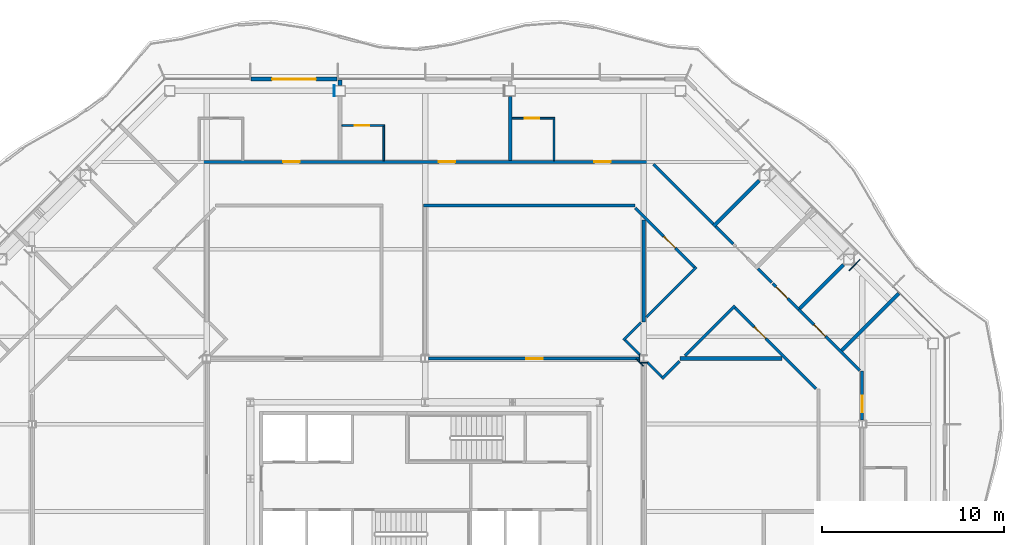
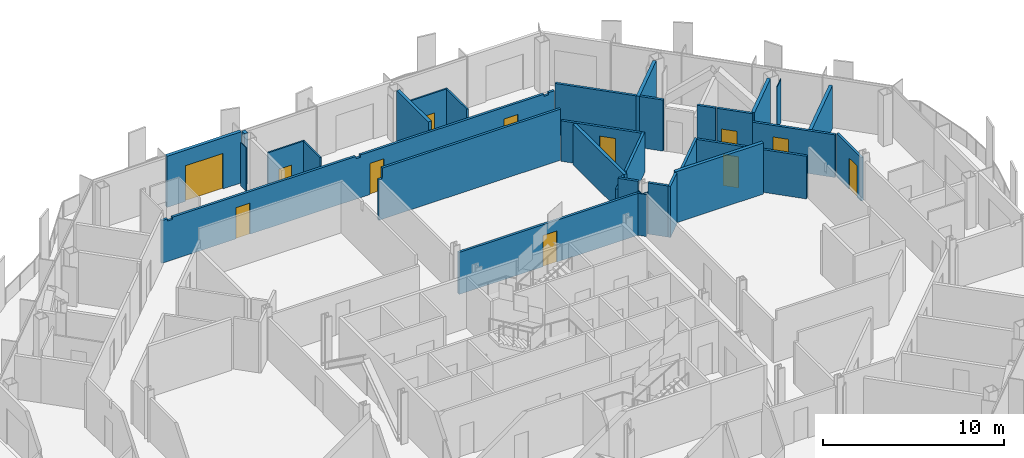
# One storey, part 13 of 21: 34 walls, 12 doors, 12 openings.
"""IFC4 building model written with IfcOpenShell, lengths in metres."""

from ifc_helpers import new_model, si_unit, direction, frame, frame_2d, origin, place, context, subcontext, project, spatial, polyline, rectangle, outline, extrude, material, layer, layer_set, type_object, element, fill, save


model = new_model("IFC4")

# Units and contexts
model_context = context("Model", 3, precision=1e-05, world=origin(), true_north=direction((0.0, 1.0)))
body_context = subcontext(model_context, "Body", "Model", "MODEL_VIEW")
ifc_project = project(units=[si_unit("LENGTHUNIT", "METRE"), si_unit("AREAUNIT", "SQUARE_METRE"), si_unit("VOLUMEUNIT", "CUBIC_METRE"), si_unit("PLANEANGLEUNIT", "RADIAN"), si_unit("MASSUNIT", "GRAM", prefix="KILO")], contexts=[model_context])

# Site, building, storey
site_placement = place(None, origin())
site = spatial("IfcSite", under=ifc_project, at=site_placement, CompositionType="ELEMENT")
building_placement = place(site_placement, origin())
building = spatial("IfcBuilding", under=site, at=building_placement, Name="Cairn Pilgrim Tower", CompositionType="ELEMENT")
storey_placement = place(building_placement, frame((0.0, 0.0, 168.60009765625)))
storey = spatial("IfcBuildingStorey", under=building, at=storey_placement, Name="L42", CompositionType="ELEMENT", Elevation=168.60009765625)

# Wall, opening, door
ifc_material_1 = material(Name="Bronze anodised aluminium insulated sandwich panel with mineral wool fill", Category="aluminium")
ifc_layer_1 = layer(ifc_material_1, 0.199951171875)
ifc_layer_set_1 = layer_set([ifc_layer_1], Name="BRONZE INFILL FRAME WALL 200")
wall_type_1 = type_object("IfcWallType", Name="BRONZE INFILL FRAME WALL 200", PredefinedType="NOTDEFINED", material=ifc_layer_set_1)
wall_1_placement = place(storey_placement, frame((2.3701171875, 28.550048828125, 0.0), z_axis=(0.0, 0.0, 1.0), x_axis=(-1.0, 0.0, 0.0)))
wall_1 = element("IfcWall", 1, at=wall_1_placement, inside=storey, type_object=wall_type_1, Name="Bronze infill frame wall IW-N5", PredefinedType="NOTDEFINED", context=body_context, shape_type="SweptSolid", body=[
    extrude(rectangle(XDim=4.740234375, YDim=0.199951171875, at=frame_2d((2.3701171875, 0.0))), origin(), (0.0, 0.0, 1.0), 3.449951171875),
])
opening_1_placement = place(wall_1_placement, frame((1.169677734375, 0.0, 0.0)))
opening_1 = element("IfcOpeningElement", 2, at=opening_1_placement, cuts=wall_1, Name="Opening 4214B", PredefinedType="OPENING", context=body_context, shape_type="SweptSolid", body=[
    extrude(rectangle(XDim=2.39990234375, YDim=2.39990234375, at=frame_2d((1.199951171875, 1.199951171875))), frame((0.0, 0.10986328125, 0.0), z_axis=(0.0, -1.0, 0.0), x_axis=(1.0, 0.0, 0.0)), (0.0, 0.0, 1.0), 0.219970703125),
])
ifc_material_2 = material(Name="Bronze anodised aluminium frame with tinted low-E glass", Category="aluminium")
door_type_1 = type_object("IfcDoorType", Name="BALCONY SLIDING DOOR 2400x2400", OperationType="DOUBLE_DOOR_SLIDING", PredefinedType="DOOR", material=ifc_material_2)
door_1_placement = place(opening_1_placement, origin())
door_1 = element("IfcDoor", 3, at=door_1_placement, inside=storey, type_object=door_type_1, Name="Balcony sliding door 4214B", OperationType="SINGLE_SWING_LEFT", OverallHeight=2.39990234375, OverallWidth=2.39990234375, PredefinedType="DOOR", context=body_context, shape_type="SweptSolid", body=[
    extrude(rectangle(XDim=2.39990234375, YDim=2.39990234375, at=frame_2d((1.199951171875, 1.199951171875))), frame((0.0, 0.02490234375, 0.0), z_axis=(0.0, -1.0, 0.0), x_axis=(1.0, 0.0, 0.0)), (0.0, 0.0, 1.0), 0.050048828125),
])
fill(opening_1, door_1)

# Walls
ifc_material_3 = material(Name="Gypsum partition")
ifc_layer_2 = layer(ifc_material_3, 0.10009765625)
ifc_layer_set_2 = layer_set([ifc_layer_2], Name="PARTITION 100 DRYWALL")
wall_type_2 = type_object("IfcWallType", Name="PARTITION 100 DRYWALL", PredefinedType="PARTITIONING", material=ifc_layer_set_2)
wall_2_placement = place(storey_placement, frame((4.924072265625, 24.074951171875, 0.0), z_axis=(0.0, 0.0, 1.0), x_axis=(0.0, 1.0, 0.0)))
element("IfcWall", 4, at=wall_2_placement, inside=storey, type_object=wall_type_2, Name="PARTITION W124", PredefinedType="PARTITIONING", context=body_context, shape_type="SweptSolid", body=[
    extrude(outline(polyline([(0.0, 0.0), (1.875, 0.0), (1.875, 3.449951171875), (0.030029296875, 3.449951171875), (0.028076171875, 2.8798828125), (0.0, 2.8798828125), (0.0, 0.0)])), frame((0.0, 0.050048828125, 0.0), z_axis=(0.0, -1.0, 0.0), x_axis=(1.0, 0.0, 0.0)), (0.0, 0.0, 1.0), 0.10009765625),
])
wall_3_placement = place(storey_placement, frame((14.27587890625, 24.074951171875, 0.0), z_axis=(0.0, 0.0, 1.0), x_axis=(0.0, 1.0, 0.0)))
element("IfcWall", 5, at=wall_3_placement, inside=storey, type_object=wall_type_2, Name="PARTITION W126", PredefinedType="PARTITIONING", context=body_context, shape_type="SweptSolid", body=[
    extrude(outline(polyline([(0.0, 0.0), (2.275146484375, 0.0), (2.27490234375, 3.449951171875), (0.030029296875, 3.449951171875), (0.028076171875, 2.8798828125), (0.0, 2.8798828125), (0.0, 0.0)])), frame((0.0, 0.050048828125, 0.0), z_axis=(0.0, -1.0, 0.0), x_axis=(1.0, 0.0, 0.0)), (0.0, 0.0, 1.0), 0.10009765625),
])

# Wall, opening, door
wall_4_placement = place(storey_placement, frame((2.6240234375, 26.0, 0.0), z_axis=(0.0, 0.0, 1.0), x_axis=(1.0, 0.0, 0.0)))
wall_4 = element("IfcWall", 6, at=wall_4_placement, inside=storey, type_object=wall_type_2, Name="PARTITION W127", PredefinedType="PARTITIONING", context=body_context, shape_type="SweptSolid", body=[
    extrude(rectangle(XDim=2.35009765625, YDim=0.10009765625, at=frame_2d((1.175048828125, 0.0))), origin(), (0.0, 0.0, 1.0), 3.449951171875),
])
opening_2_placement = place(wall_4_placement, frame((0.699951171875, 0.0, 0.0)))
opening_2 = element("IfcOpeningElement", 7, at=opening_2_placement, cuts=wall_4, Name="Opening 4213A", PredefinedType="OPENING", context=body_context, shape_type="SweptSolid", body=[
    extrude(rectangle(XDim=0.800048828125, YDim=2.10009765625, at=frame_2d((0.39990234375, 1.050048828125))), frame((0.0, 0.06005859375, 0.0), z_axis=(0.0, -1.0, 0.0), x_axis=(1.0, 0.0, 0.0)), (0.0, 0.0, 1.0), 0.1201171875),
])
ifc_material_4 = material(Name="Timber door leaf", Category="wood")
door_type_2 = type_object("IfcDoorType", Name="WC DOOR 800x2100", OperationType="NOTDEFINED", PredefinedType="DOOR", material=ifc_material_4)
door_2_placement = place(opening_2_placement, origin())
door_2 = element("IfcDoor", 8, at=door_2_placement, inside=storey, type_object=door_type_2, Name="DOOR 4213A", OperationType="SINGLE_SWING_LEFT", OverallHeight=2.10009765625, OverallWidth=0.800048828125, PredefinedType="DOOR", context=body_context, shape_type="SweptSolid", body=[
    extrude(rectangle(XDim=0.800048828125, YDim=2.10009765625, at=frame_2d((0.39990234375, 1.050048828125))), frame((0.0, 0.02490234375, 0.0), z_axis=(0.0, -1.0, 0.0), x_axis=(1.0, 0.0, 0.0)), (0.0, 0.0, 1.0), 0.050048828125),
])
fill(opening_2, door_2)

wall_5_placement = place(storey_placement, frame((11.97607421875, 26.39990234375, 0.0), z_axis=(0.0, 0.0, 1.0), x_axis=(1.0, 0.0, 0.0)))
wall_5 = element("IfcWall", 9, at=wall_5_placement, inside=storey, type_object=wall_type_2, Name="PARTITION W129", PredefinedType="PARTITIONING", context=body_context, shape_type="SweptSolid", body=[
    extrude(rectangle(XDim=2.349853515625, YDim=0.10009765625, at=frame_2d((1.1748046875, 0.0))), origin(), (0.0, 0.0, 1.0), 3.449951171875),
])
opening_3_placement = place(wall_5_placement, frame((0.699951171875, 0.0, 0.0)))
opening_3 = element("IfcOpeningElement", 10, at=opening_3_placement, cuts=wall_5, Name="Opening 4212A", PredefinedType="OPENING", context=body_context, shape_type="SweptSolid", body=[
    extrude(rectangle(XDim=0.800048828125, YDim=2.10009765625, at=frame_2d((0.39990234375, 1.050048828125))), frame((0.0, 0.06005859375, 0.0), z_axis=(0.0, -1.0, 0.0), x_axis=(1.0, 0.0, 0.0)), (0.0, 0.0, 1.0), 0.1201171875),
])
door_3_placement = place(opening_3_placement, origin())
door_3 = element("IfcDoor", 11, at=door_3_placement, inside=storey, type_object=door_type_2, Name="DOOR 4212A", OperationType="SINGLE_SWING_LEFT", OverallHeight=2.10009765625, OverallWidth=0.800048828125, PredefinedType="DOOR", context=body_context, shape_type="SweptSolid", body=[
    extrude(rectangle(XDim=0.800048828125, YDim=2.10009765625, at=frame_2d((0.39990234375, 1.050048828125))), frame((0.0, 0.02490234375, 0.0), z_axis=(0.0, -1.0, 0.0), x_axis=(1.0, 0.0, 0.0)), (0.0, 0.0, 1.0), 0.050048828125),
])
fill(opening_3, door_3)

ifc_layer_3 = layer(ifc_material_3, 0.14990234375)
ifc_layer_set_3 = layer_set([ifc_layer_3], Name="PARTITION 150 DRYWALL EI 60")
wall_type_3 = type_object("IfcWallType", Name="PARTITION 150 DRYWALL EI 60", PredefinedType="PARTITIONING", material=ifc_layer_set_3)
wall_6_placement = place(storey_placement, frame((31.199951171875, 9.8125, 0.0), z_axis=(0.0, 0.0, 1.0), x_axis=(0.0, 1.0, 0.0)))
wall_6 = element("IfcWall", 12, at=wall_6_placement, inside=storey, type_object=wall_type_3, Name="PARTITION W068", PredefinedType="PARTITIONING", context=body_context, shape_type="SweptSolid", body=[
    extrude(rectangle(XDim=2.70556640625, YDim=0.14990234375, at=frame_2d((1.352783203125, 0.0))), origin(), (0.0, 0.0, 1.0), 2.929931640625),
])
opening_4_placement = place(wall_6_placement, frame((0.443603515625, 0.0, 0.0)))
opening_4 = element("IfcOpeningElement", 13, at=opening_4_placement, cuts=wall_6, Name="Opening 4208", PredefinedType="OPENING", context=body_context, shape_type="SweptSolid", body=[
    extrude(rectangle(XDim=0.89990234375, YDim=2.10009765625, at=frame_2d((0.449951171875, 1.050048828125))), frame((0.0, 0.0849609375, 0.0), z_axis=(0.0, -1.0, 0.0), x_axis=(1.0, 0.0, 0.0)), (0.0, 0.0, 1.0), 0.169921875),
])
door_type_3 = type_object("IfcDoorType", Name="ROOM DOOR 900x2100 FD30S", OperationType="NOTDEFINED", PredefinedType="DOOR", material=ifc_material_4)
door_4_placement = place(opening_4_placement, frame((0.89990234375, 0.0, 0.0), z_axis=(0.0, 0.0, 1.0), x_axis=(-1.0, 0.0, 0.0)))
door_4 = element("IfcDoor", 14, at=door_4_placement, inside=storey, type_object=door_type_3, Name="DOOR 4208", OperationType="SINGLE_SWING_RIGHT", OverallHeight=2.10009765625, OverallWidth=0.89990234375, PredefinedType="DOOR", context=body_context, shape_type="SweptSolid", body=[
    extrude(rectangle(XDim=0.89990234375, YDim=2.10009765625, at=frame_2d((0.449951171875, 1.050048828125))), frame((0.0, 0.02490234375, 0.0), z_axis=(0.0, -1.0, 0.0), x_axis=(1.0, 0.0, 0.0)), (0.0, 0.0, 1.0), 0.050048828125),
])
fill(opening_4, door_4)

wall_7_placement = place(storey_placement, frame((28.672119140625, 11.5458984375, 0.0), z_axis=(0.0, 0.0, 1.0), x_axis=(-0.707106781187, 0.707106781187, 0.0)))
wall_7 = element("IfcWall", 15, at=wall_7_placement, inside=storey, type_object=wall_type_3, Name="PARTITION W070", PredefinedType="PARTITIONING", context=body_context, shape_type="SweptSolid", body=[
    extrude(rectangle(XDim=6.291748046875, YDim=0.14990234375, at=frame_2d((3.14599609375, 0.0))), origin(), (0.0, 0.0, 1.0), 2.8798828125),
])
opening_5_placement = place(wall_7_placement, frame((3.903076171875, 0.0, 0.0)))
opening_5 = element("IfcOpeningElement", 16, at=opening_5_placement, cuts=wall_7, Name="Opening 4229", PredefinedType="OPENING", context=body_context, shape_type="SweptSolid", body=[
    extrude(rectangle(XDim=0.89990234375, YDim=2.10009765625, at=frame_2d((0.449951171875, 1.050048828125))), frame((0.0, 0.0849609375, 0.0), z_axis=(0.0, -1.0, 0.0), x_axis=(1.0, 0.0, 0.0)), (0.0, 0.0, 1.0), 0.169921875),
])
door_type_4 = type_object("IfcDoorType", Name="SERVICE DOOR 900x2100 FD30S", OperationType="NOTDEFINED", PredefinedType="DOOR", material=ifc_material_4)
door_5_placement = place(opening_5_placement, origin())
door_5 = element("IfcDoor", 17, at=door_5_placement, inside=storey, type_object=door_type_4, Name="DOOR 4229", OperationType="SINGLE_SWING_RIGHT", OverallHeight=2.10009765625, OverallWidth=0.89990234375, PredefinedType="DOOR", context=body_context, shape_type="SweptSolid", body=[
    extrude(rectangle(XDim=0.89990234375, YDim=2.10009765625, at=frame_2d((0.449951171875, 1.050048828125))), frame((0.0, 0.02490234375, 0.0), z_axis=(0.0, -1.0, 0.0), x_axis=(1.0, 0.0, 0.0)), (0.0, 0.0, 1.0), 0.050048828125),
])
fill(opening_5, door_5)

# Walls
wall_8_placement = place(storey_placement, frame((20.2080078125, 12.0859375, 0.0), z_axis=(0.0, 0.0, 1.0), x_axis=(0.706747296365, 0.707466083343, 0.0)))
element("IfcWall", 18, at=wall_8_placement, inside=storey, type_object=wall_type_3, Name="PARTITION W072", PredefinedType="PARTITIONING", context=body_context, shape_type="SweptSolid", body=[
    extrude(rectangle(XDim=1.358642578125, YDim=0.14990234375, at=frame_2d((0.67919921875, 0.0))), origin(), (0.0, 0.0, 1.0), 3.449951171875),
])
wall_9_placement = place(storey_placement, frame((20.2080078125, 12.192138671875, 0.0), z_axis=(0.0, 0.0, 1.0), x_axis=(-0.70721334539, 0.707000200921, 0.0)))
element("IfcWall", 19, at=wall_9_placement, inside=storey, type_object=wall_type_3, Name="PARTITION W074", PredefinedType="PARTITIONING", context=body_context, shape_type="SweptSolid", body=[
    extrude(rectangle(XDim=1.1455078125, YDim=0.14990234375, at=frame_2d((0.57275390625, 0.0))), origin(), (0.0, 0.0, 1.0), 3.449951171875),
])

# Wall, opening, door
wall_10_placement = place(storey_placement, frame((31.072021484375, 12.5400390625, 0.0), z_axis=(0.0, 0.0, 1.0), x_axis=(-0.707106781187, 0.707106781187, 0.0)))
wall_10 = element("IfcWall", 20, at=wall_10_placement, inside=storey, type_object=wall_type_3, Name="PARTITION W076", PredefinedType="PARTITIONING", context=body_context, shape_type="SweptSolid", body=[
    extrude(rectangle(XDim=4.7431640625, YDim=0.14990234375, at=frame_2d((2.37158203125, 0.0))), origin(), (0.0, 0.0, 1.0), 2.8798828125),
])
opening_6_placement = place(wall_10_placement, frame((2.658203125, 0.0, 0.0)))
opening_6 = element("IfcOpeningElement", 21, at=opening_6_placement, cuts=wall_10, Name="Opening 4209", PredefinedType="OPENING", context=body_context, shape_type="SweptSolid", body=[
    extrude(rectangle(XDim=0.89990234375, YDim=2.10009765625, at=frame_2d((0.449951171875, 1.050048828125))), frame((0.0, 0.0849609375, 0.0), z_axis=(0.0, -1.0, 0.0), x_axis=(1.0, 0.0, 0.0)), (0.0, 0.0, 1.0), 0.169921875),
])
door_6_placement = place(opening_6_placement, frame((0.89990234375, 0.0, 0.0), z_axis=(0.0, 0.0, 1.0), x_axis=(-1.0, 0.0, 0.0)))
door_6 = element("IfcDoor", 22, at=door_6_placement, inside=storey, type_object=door_type_3, Name="DOOR 4209", OperationType="SINGLE_SWING_RIGHT", OverallHeight=2.10009765625, OverallWidth=0.89990234375, PredefinedType="DOOR", context=body_context, shape_type="SweptSolid", body=[
    extrude(rectangle(XDim=0.89990234375, YDim=2.10009765625, at=frame_2d((0.449951171875, 1.050048828125))), frame((0.0, 0.02490234375, 0.0), z_axis=(0.0, -1.0, 0.0), x_axis=(1.0, 0.0, 0.0)), (0.0, 0.0, 1.0), 0.050048828125),
])
fill(opening_6, door_6)

wall_11_placement = place(storey_placement, frame((7.3994140625, 13.199951171875, 0.0), z_axis=(0.0, 0.0, 1.0), x_axis=(1.0, 0.0, 0.0)))
wall_11 = element("IfcWall", 23, at=wall_11_placement, inside=storey, type_object=wall_type_3, Name="PARTITION W080", PredefinedType="PARTITIONING", context=body_context, shape_type="SweptSolid", body=[
    extrude(rectangle(XDim=11.60107421875, YDim=0.14990234375, at=frame_2d((5.800537109375, 0.0))), origin(), (0.0, 0.0, 1.0), 2.829833984375),
])
opening_7_placement = place(wall_11_placement, frame((5.3505859375, 0.0, 0.0)))
opening_7 = element("IfcOpeningElement", 24, at=opening_7_placement, cuts=wall_11, Name="Opening 4231", PredefinedType="OPENING", context=body_context, shape_type="SweptSolid", body=[
    extrude(rectangle(XDim=0.89990234375, YDim=2.10009765625, at=frame_2d((0.449951171875, 1.050048828125))), frame((0.0, 0.0849609375, 0.0), z_axis=(0.0, -1.0, 0.0), x_axis=(1.0, 0.0, 0.0)), (0.0, 0.0, 1.0), 0.169921875),
])
door_7_placement = place(opening_7_placement, origin())
door_7 = element("IfcDoor", 25, at=door_7_placement, inside=storey, type_object=door_type_4, Name="DOOR 4231", OperationType="SINGLE_SWING_LEFT", OverallHeight=2.10009765625, OverallWidth=0.89990234375, PredefinedType="DOOR", context=body_context, shape_type="SweptSolid", body=[
    extrude(rectangle(XDim=0.89990234375, YDim=2.10009765625, at=frame_2d((0.449951171875, 1.050048828125))), frame((0.0, 0.02490234375, 0.0), z_axis=(0.0, -1.0, 0.0), x_axis=(1.0, 0.0, 0.0)), (0.0, 0.0, 1.0), 0.050048828125),
])
fill(opening_7, door_7)

# Walls
wall_12_placement = place(storey_placement, frame((19.001953125, 13.39794921875, 0.0), z_axis=(0.0, 0.0, 1.0), x_axis=(-0.707000200921, 0.70721334539, 0.0)))
element("IfcWall", 26, at=wall_12_placement, inside=storey, type_object=wall_type_3, Name="PARTITION W085", PredefinedType="PARTITIONING", context=body_context, shape_type="SweptSolid", body=[
    extrude(rectangle(XDim=1.1455078125, YDim=0.14990234375, at=frame_2d((0.57275390625, 0.0))), origin(), (0.0, 0.0, 1.0), 3.449951171875),
])
wall_13_placement = place(storey_placement, frame((21.47412109375, 13.35302734375, 0.0), z_axis=(0.0, 0.0, 1.0), x_axis=(0.707200993001, 0.707012556818, 0.0)))
element("IfcWall", 27, at=wall_13_placement, inside=storey, type_object=wall_type_3, Name="PARTITION W086", PredefinedType="PARTITIONING", context=body_context, shape_type="SweptSolid", body=[
    extrude(rectangle(XDim=3.886962890625, YDim=0.14990234375, at=frame_2d((1.943359375, 0.0))), origin(), (0.0, 0.0, 1.0), 2.8798828125),
])
wall_14_placement = place(storey_placement, frame((18.0859375, 14.2080078125, 0.0), z_axis=(0.0, 0.0, 1.0), x_axis=(0.707466083343, 0.706747296365, 0.0)))
element("IfcWall", 28, at=wall_14_placement, inside=storey, type_object=wall_type_3, Name="PARTITION W089", PredefinedType="PARTITIONING", context=body_context, shape_type="SweptSolid", body=[
    extrude(rectangle(XDim=1.358642578125, YDim=0.14990234375, at=frame_2d((0.67919921875, 0.0))), origin(), (0.0, 0.0, 1.0), 2.72998046875),
])
wall_15_placement = place(storey_placement, frame((19.35302734375, 15.47412109375, 0.0), z_axis=(0.0, 0.0, 1.0), x_axis=(0.707012556818, 0.707200993001, 0.0)))
element("IfcWall", 29, at=wall_15_placement, inside=storey, type_object=wall_type_3, Name="PARTITION W095", PredefinedType="PARTITIONING", context=body_context, shape_type="SweptSolid", body=[
    extrude(rectangle(XDim=3.886962890625, YDim=0.14990234375, at=frame_2d((1.943359375, 0.0))), origin(), (0.0, 0.0, 1.0), 2.72998046875),
])

# Wall, opening, door
wall_16_placement = place(storey_placement, frame((27.718017578125, 15.89404296875, 0.0), z_axis=(0.0, 0.0, 1.0), x_axis=(-0.707348651109, 0.706864828503, 0.0)))
wall_16 = element("IfcWall", 30, at=wall_16_placement, inside=storey, type_object=wall_type_3, Name="PARTITION W098", PredefinedType="PARTITIONING", context=body_context, shape_type="SweptSolid", body=[
    extrude(rectangle(XDim=2.018310546875, YDim=0.14990234375, at=frame_2d((1.00927734375, 0.0))), origin(), (0.0, 0.0, 1.0), 3.449951171875),
])
opening_8_placement = place(wall_16_placement, frame((0.859375, 0.0, 0.0)))
opening_8 = element("IfcOpeningElement", 31, at=opening_8_placement, cuts=wall_16, Name="Opening 4210", PredefinedType="OPENING", context=body_context, shape_type="SweptSolid", body=[
    extrude(rectangle(XDim=0.89990234375, YDim=2.10009765625, at=frame_2d((0.449951171875, 1.050048828125))), frame((0.0, 0.0849609375, 0.0), z_axis=(0.0, -1.0, 0.0), x_axis=(1.0, 0.0, 0.0)), (0.0, 0.0, 1.0), 0.169921875),
])
door_8_placement = place(opening_8_placement, frame((0.89990234375, 0.0, 0.0), z_axis=(0.0, 0.0, 1.0), x_axis=(-1.0, 0.0, 0.0)))
door_8 = element("IfcDoor", 32, at=door_8_placement, inside=storey, type_object=door_type_4, Name="DOOR 4210", OperationType="SINGLE_SWING_LEFT", OverallHeight=2.10009765625, OverallWidth=0.89990234375, PredefinedType="DOOR", context=body_context, shape_type="SweptSolid", body=[
    extrude(rectangle(XDim=0.89990234375, YDim=2.10009765625, at=frame_2d((0.449951171875, 1.050048828125))), frame((0.0, 0.02490234375, 0.0), z_axis=(0.0, -1.0, 0.0), x_axis=(1.0, 0.0, 0.0)), (0.0, 0.0, 1.0), 0.050048828125),
])
fill(opening_8, door_8)

# Wall
wall_17_placement = place(storey_placement, frame((26.23681640625, 17.373291015625, 0.0), z_axis=(0.0, 0.0, 1.0), x_axis=(-0.706198780021, 0.708013617875, 0.0)))
element("IfcWall", 33, at=wall_17_placement, inside=storey, type_object=wall_type_3, Name="PARTITION W101", PredefinedType="PARTITIONING", context=body_context, shape_type="SweptSolid", body=[
    extrude(rectangle(XDim=1.076171875, YDim=0.14990234375, at=frame_2d((0.5380859375, 0.0))), origin(), (0.0, 0.0, 1.0), 3.449951171875),
])

# Wall, opening, door
wall_18_placement = place(storey_placement, frame((21.9951171875, 18.222900390625, 0.0), z_axis=(0.0, 0.0, 1.0), x_axis=(-0.707106781187, 0.707106781187, 0.0)))
wall_18 = element("IfcWall", 34, at=wall_18_placement, inside=storey, type_object=wall_type_3, Name="PARTITION W103", PredefinedType="PARTITIONING", context=body_context, shape_type="SweptSolid", body=[
    extrude(rectangle(XDim=4.5947265625, YDim=0.14990234375, at=frame_2d((2.29736328125, 0.0))), origin(), (0.0, 0.0, 1.0), 2.72998046875),
])
opening_9_placement = place(wall_18_placement, frame((1.489013671875, 0.0, 0.0)))
opening_9 = element("IfcOpeningElement", 35, at=opening_9_placement, cuts=wall_18, Name="Opening 4230", PredefinedType="OPENING", context=body_context, shape_type="SweptSolid", body=[
    extrude(rectangle(XDim=0.89990234375, YDim=2.10009765625, at=frame_2d((0.449951171875, 1.050048828125))), frame((0.0, 0.0849609375, 0.0), z_axis=(0.0, -1.0, 0.0), x_axis=(1.0, 0.0, 0.0)), (0.0, 0.0, 1.0), 0.169921875),
])
door_9_placement = place(opening_9_placement, origin())
door_9 = element("IfcDoor", 36, at=door_9_placement, inside=storey, type_object=door_type_4, Name="DOOR 4230", OperationType="SINGLE_SWING_LEFT", OverallHeight=2.10009765625, OverallWidth=0.89990234375, PredefinedType="DOOR", context=body_context, shape_type="SweptSolid", body=[
    extrude(rectangle(XDim=0.89990234375, YDim=2.10009765625, at=frame_2d((0.449951171875, 1.050048828125))), frame((0.0, 0.02490234375, 0.0), z_axis=(0.0, -1.0, 0.0), x_axis=(1.0, 0.0, 0.0)), (0.0, 0.0, 1.0), 0.050048828125),
])
fill(opening_9, door_9)

# Walls
wall_19_placement = place(storey_placement, frame((24.115966796875, 19.494384765625, 0.0), z_axis=(0.0, 0.0, 1.0), x_axis=(-0.706471832245, 0.707741160485, 0.0)))
element("IfcWall", 37, at=wall_19_placement, inside=storey, type_object=wall_type_3, Name="PARTITION W109", PredefinedType="PARTITIONING", context=body_context, shape_type="SweptSolid", body=[
    extrude(rectangle(XDim=1.346435546875, YDim=0.14990234375, at=frame_2d((0.67333984375, 0.0))), origin(), (0.0, 0.0, 1.0), 3.449951171875),
])
wall_20_placement = place(storey_placement, frame((23.023193359375, 20.588623046875, 0.0), z_axis=(0.0, 0.0, 1.0), x_axis=(-0.707106781187, 0.707106781187, 0.0)))
element("IfcWall", 38, at=wall_20_placement, inside=storey, type_object=wall_type_3, Name="PARTITION W114", PredefinedType="PARTITIONING", context=body_context, shape_type="SweptSolid", body=[
    extrude(rectangle(XDim=4.64306640625, YDim=0.14990234375, at=frame_2d((2.321533203125, 0.0))), origin(), (0.0, 0.0, 1.0), 3.449951171875),
])
wall_21_placement = place(storey_placement, frame((7.125, 21.60009765625, 0.0), z_axis=(0.0, 0.0, 1.0), x_axis=(1.0, 0.0, 0.0)))
element("IfcWall", 39, at=wall_21_placement, inside=storey, type_object=wall_type_3, Name="PARTITION W116", PredefinedType="PARTITIONING", context=body_context, shape_type="SweptSolid", body=[
    extrude(outline(polyline([(0.0, 0.0), (11.59912109375, 0.0), (11.59912109375, 3.449951171875), (0.22509765625, 3.449951171875), (0.222900390625, 2.72998046875), (0.0, 2.72998046875), (0.0, 0.0)])), frame((0.0, 0.074951171875, 0.0), z_axis=(0.0, -1.0, 0.0), x_axis=(1.0, 0.0, 0.0)), (0.0, 0.0, 1.0), 0.14990234375),
])

# Wall, openings, doors
wall_22_placement = place(storey_placement, frame((-5.318115234375, 24.0, 0.0), z_axis=(0.0, 0.0, 1.0), x_axis=(1.0, 0.0, 0.0)))
wall_22 = element("IfcWall", 40, at=wall_22_placement, inside=storey, type_object=wall_type_3, Name="PARTITION W120", PredefinedType="PARTITIONING", context=body_context, shape_type="SweptSolid", body=[
    extrude(outline(polyline([(0.0, 0.0), (25.0361328125, 0.0), (25.0361328125, 2.8798828125), (24.668212890625, 2.8798828125), (24.666015625, 2.72998046875), (24.3681640625, 2.72998046875), (24.3662109375, 2.8798828125), (12.668212890625, 2.8798828125), (12.666015625, 2.72998046875), (12.3681640625, 2.72998046875), (12.3662109375, 2.8798828125), (0.668212890625, 2.8798828125), (0.666015625, 2.72998046875), (0.3681640625, 2.72998046875), (0.3662109375, 2.8798828125), (0.0, 2.8798828125), (0.0, 0.0)])), frame((0.0, 0.074951171875, 0.0), z_axis=(0.0, -1.0, 0.0), x_axis=(1.0, 0.0, 0.0)), (0.0, 0.0, 1.0), 0.14990234375),
])
opening_10_placement = place(wall_22_placement, frame((21.81201171875, 0.0, 0.0)))
opening_10 = element("IfcOpeningElement", 41, at=opening_10_placement, cuts=wall_22, Name="Opening 4212", PredefinedType="OPENING", context=body_context, shape_type="SweptSolid", body=[
    extrude(rectangle(XDim=0.89990234375, YDim=2.10009765625, at=frame_2d((0.449951171875, 1.050048828125))), frame((0.0, 0.0849609375, 0.0), z_axis=(0.0, -1.0, 0.0), x_axis=(1.0, 0.0, 0.0)), (0.0, 0.0, 1.0), 0.169921875),
])
opening_11_placement = place(wall_22_placement, frame((13.26806640625, 0.0, 0.0)))
opening_11 = element("IfcOpeningElement", 42, at=opening_11_placement, cuts=wall_22, Name="Opening 4213", PredefinedType="OPENING", context=body_context, shape_type="SweptSolid", body=[
    extrude(rectangle(XDim=0.89990234375, YDim=2.10009765625, at=frame_2d((0.449951171875, 1.050048828125))), frame((0.0, 0.0849609375, 0.0), z_axis=(0.0, -1.0, 0.0), x_axis=(1.0, 0.0, 0.0)), (0.0, 0.0, 1.0), 0.169921875),
])
opening_12_placement = place(wall_22_placement, frame((4.72412109375, 0.0, 0.0)))
opening_12 = element("IfcOpeningElement", 43, at=opening_12_placement, cuts=wall_22, Name="Opening 4214", PredefinedType="OPENING", context=body_context, shape_type="SweptSolid", body=[
    extrude(rectangle(XDim=0.89990234375, YDim=2.10009765625, at=frame_2d((0.449951171875, 1.050048828125))), frame((0.0, 0.0849609375, 0.0), z_axis=(0.0, -1.0, 0.0), x_axis=(1.0, 0.0, 0.0)), (0.0, 0.0, 1.0), 0.169921875),
])
door_10_placement = place(opening_10_placement, origin())
door_10 = element("IfcDoor", 44, at=door_10_placement, inside=storey, type_object=door_type_3, Name="DOOR 4212", OperationType="SINGLE_SWING_LEFT", OverallHeight=2.10009765625, OverallWidth=0.89990234375, PredefinedType="DOOR", context=body_context, shape_type="SweptSolid", body=[
    extrude(rectangle(XDim=0.89990234375, YDim=2.10009765625, at=frame_2d((0.449951171875, 1.050048828125))), frame((0.0, 0.02490234375, 0.0), z_axis=(0.0, -1.0, 0.0), x_axis=(1.0, 0.0, 0.0)), (0.0, 0.0, 1.0), 0.050048828125),
])
fill(opening_10, door_10)
door_11_placement = place(opening_11_placement, origin())
door_11 = element("IfcDoor", 45, at=door_11_placement, inside=storey, type_object=door_type_3, Name="DOOR 4213", OperationType="SINGLE_SWING_LEFT", OverallHeight=2.10009765625, OverallWidth=0.89990234375, PredefinedType="DOOR", context=body_context, shape_type="SweptSolid", body=[
    extrude(rectangle(XDim=0.89990234375, YDim=2.10009765625, at=frame_2d((0.449951171875, 1.050048828125))), frame((0.0, 0.02490234375, 0.0), z_axis=(0.0, -1.0, 0.0), x_axis=(1.0, 0.0, 0.0)), (0.0, 0.0, 1.0), 0.050048828125),
])
fill(opening_11, door_11)
door_12_placement = place(opening_12_placement, origin())
door_12 = element("IfcDoor", 46, at=door_12_placement, inside=storey, type_object=door_type_3, Name="DOOR 4214", OperationType="SINGLE_SWING_LEFT", OverallHeight=2.10009765625, OverallWidth=0.89990234375, PredefinedType="DOOR", context=body_context, shape_type="SweptSolid", body=[
    extrude(rectangle(XDim=0.89990234375, YDim=2.10009765625, at=frame_2d((0.449951171875, 1.050048828125))), frame((0.0, 0.02490234375, 0.0), z_axis=(0.0, -1.0, 0.0), x_axis=(1.0, 0.0, 0.0)), (0.0, 0.0, 1.0), 0.050048828125),
])
fill(opening_12, door_12)

# Walls
ifc_layer_4 = layer(ifc_material_3, 0.050048828125)
ifc_layer_set_4 = layer_set([ifc_layer_4], Name="PARTITION 50 DRYWALL EI 60")
wall_type_4 = type_object("IfcWallType", Name="PARTITION 50 DRYWALL EI 60", PredefinedType="PARTITIONING", material=ifc_layer_set_4)
wall_23_placement = place(storey_placement, frame((18.9755859375, 13.00341796875, 0.0), z_axis=(0.0, 0.0, 1.0), x_axis=(0.0, 1.0, 0.0)))
element("IfcWall", 47, at=wall_23_placement, inside=storey, type_object=wall_type_4, Name="COLUMN CASING WC21", PredefinedType="PARTITIONING", context=body_context, shape_type="SweptSolid", body=[
    extrude(rectangle(XDim=0.39306640625, YDim=0.050048828125, at=frame_2d((0.196533203125, 0.0))), origin(), (0.0, 0.0, 1.0), 2.829833984375),
])
wall_24_placement = place(storey_placement, frame((19.182373046875, 12.786376953125, 0.0), z_axis=(0.0, 0.0, 1.0), x_axis=(-0.707106781187, 0.707106781187, 0.0)))
element("IfcWall", 48, at=wall_24_placement, inside=storey, type_object=wall_type_4, Name="COLUMN CASING WC28", PredefinedType="PARTITIONING", context=body_context, shape_type="SweptSolid", body=[
    extrude(rectangle(XDim=0.56005859375, YDim=0.050048828125, at=frame_2d((0.280029296875, 0.0))), origin(), (0.0, 0.0, 1.0), 2.829833984375),
])
wall_25_placement = place(storey_placement, frame((19.00048828125, 12.978515625, 0.0), z_axis=(0.0, 0.0, 1.0), x_axis=(1.0, 0.0, 0.0)))
element("IfcWall", 49, at=wall_25_placement, inside=storey, type_object=wall_type_4, Name="COLUMN CASING WC31", PredefinedType="PARTITIONING", context=body_context, shape_type="SweptSolid", body=[
    extrude(rectangle(XDim=0.39892578125, YDim=0.050048828125, at=frame_2d((0.199462890625, 0.0))), origin(), (0.0, 0.0, 1.0), 2.829833984375),
])
wall_26_placement = place(storey_placement, frame((30.493408203125, 18.03369140625, 0.0), z_axis=(0.0, 0.0, 1.0), x_axis=(0.707106781187, 0.707106781187, 0.0)))
element("IfcWall", 50, at=wall_26_placement, inside=storey, type_object=wall_type_4, Name="COLUMN CASING WC34", PredefinedType="PARTITIONING", context=body_context, shape_type="SweptSolid", body=[
    extrude(rectangle(XDim=0.8486328125, YDim=0.050048828125, at=frame_2d((0.42431640625, 0.0))), origin(), (0.0, 0.0, 1.0), 2.929931640625),
])
wall_27_placement = place(storey_placement, frame((2.19921875, 27.60009765625, 0.0), z_axis=(0.0, 0.0, 1.0), x_axis=(0.0, 1.0, 0.0)))
element("IfcWall", 51, at=wall_27_placement, inside=storey, type_object=wall_type_4, Name="COLUMN CASING WC40", PredefinedType="PARTITIONING", context=body_context, shape_type="SweptSolid", body=[
    extrude(rectangle(XDim=0.599853515625, YDim=0.050048828125, at=frame_2d((0.2998046875, 0.0))), origin(), (0.0, 0.0, 1.0), 2.929931640625),
])
ifc_layer_5 = layer(ifc_material_3, 0.199951171875)
ifc_layer_set_5 = layer_set([ifc_layer_5], Name="SHAFT WALL 200 GYPSUM EI 60")
wall_type_5 = type_object("IfcWallType", Name="SHAFT WALL 200 GYPSUM EI 60", PredefinedType="PARTITIONING", material=ifc_layer_set_5)
wall_28_placement = place(storey_placement, frame((21.20458984375, 13.199951171875, 0.0), z_axis=(0.0, 0.0, 1.0), x_axis=(1.0, 0.0, 0.0)))
element("IfcWall", 52, at=wall_28_placement, inside=storey, type_object=wall_type_5, Name="PARTITION W081", PredefinedType="PARTITIONING", context=body_context, shape_type="SweptSolid", body=[
    extrude(rectangle(XDim=5.607421875, YDim=0.199951171875, at=frame_2d((2.8037109375, 0.0))), origin(), (0.0, 0.0, 1.0), 3.449951171875),
])
wall_29_placement = place(storey_placement, frame((30.0830078125, 13.635009765625, 0.0), z_axis=(0.0, 0.0, 1.0), x_axis=(0.707106781187, 0.707106781187, 0.0)))
element("IfcWall", 53, at=wall_29_placement, inside=storey, type_object=wall_type_5, Name="PARTITION W088", PredefinedType="PARTITIONING", context=body_context, shape_type="SweptSolid", body=[
    extrude(rectangle(XDim=4.427978515625, YDim=0.199951171875, at=frame_2d((2.2138671875, 0.0))), origin(), (0.0, 0.0, 1.0), 2.8798828125),
])
wall_30_placement = place(storey_placement, frame((19.199951171875, 15.20458984375, 0.0), z_axis=(0.0, 0.0, 1.0), x_axis=(0.0, 1.0, 0.0)))
element("IfcWall", 54, at=wall_30_placement, inside=storey, type_object=wall_type_5, Name="PARTITION W092", PredefinedType="PARTITIONING", context=body_context, shape_type="SweptSolid", body=[
    extrude(rectangle(XDim=5.607421875, YDim=0.199951171875, at=frame_2d((2.8037109375, 0.0))), origin(), (0.0, 0.0, 1.0), 2.72998046875),
])
wall_31_placement = place(storey_placement, frame((27.77099609375, 15.947021484375, 0.0), z_axis=(0.0, 0.0, 1.0), x_axis=(0.707106781187, 0.707106781187, 0.0)))
element("IfcWall", 55, at=wall_31_placement, inside=storey, type_object=wall_type_5, Name="PARTITION W099", PredefinedType="PARTITIONING", context=body_context, shape_type="SweptSolid", body=[
    extrude(rectangle(XDim=3.400634765625, YDim=0.199951171875, at=frame_2d((1.7001953125, 0.0))), origin(), (0.0, 0.0, 1.0), 3.449951171875),
])
wall_32_placement = place(storey_placement, frame((23.041015625, 20.465087890625, 0.0), z_axis=(0.0, 0.0, 1.0), x_axis=(0.707106781187, 0.707106781187, 0.0)))
element("IfcWall", 56, at=wall_32_placement, inside=storey, type_object=wall_type_5, Name="PARTITION W112", PredefinedType="PARTITIONING", context=body_context, shape_type="SweptSolid", body=[
    extrude(rectangle(XDim=3.55029296875, YDim=0.199951171875, at=frame_2d((1.775146484375, 0.0))), origin(), (0.0, 0.0, 1.0), 3.449951171875),
])
wall_33_placement = place(storey_placement, frame((11.8759765625, 24.074951171875, 0.0), z_axis=(0.0, 0.0, 1.0), x_axis=(0.0, 1.0, 0.0)))
element("IfcWall", 57, at=wall_33_placement, inside=storey, type_object=wall_type_5, Name="PARTITION W125", PredefinedType="PARTITIONING", context=body_context, shape_type="SweptSolid", body=[
    extrude(outline(polyline([(0.0, 0.0), (3.525146484375, 0.0), (3.52490234375, 3.449951171875), (0.030029296875, 3.449951171875), (0.028076171875, 2.8798828125), (0.0, 2.8798828125), (0.0, 0.0)])), frame((0.0, 0.10009765625, 0.0), z_axis=(0.0, -1.0, 0.0), x_axis=(1.0, 0.0, 0.0)), (0.0, 0.0, 1.0), 0.199951171875),
])
wall_34_placement = place(storey_placement, frame((2.52392578125, 28.199951171875, 0.0), z_axis=(0.0, 0.0, 1.0), x_axis=(0.0, 1.0, 0.0)))
element("IfcWall", 58, at=wall_34_placement, inside=storey, type_object=wall_type_5, Name="PARTITION W130", PredefinedType="PARTITIONING", context=body_context, shape_type="SweptSolid", body=[
    extrude(rectangle(XDim=0.302978515625, YDim=0.199951171875, at=frame_2d((0.1513671875, 0.0))), origin(), (0.0, 0.0, 1.0), 3.449951171875),
])

save(model, "model.ifc")
